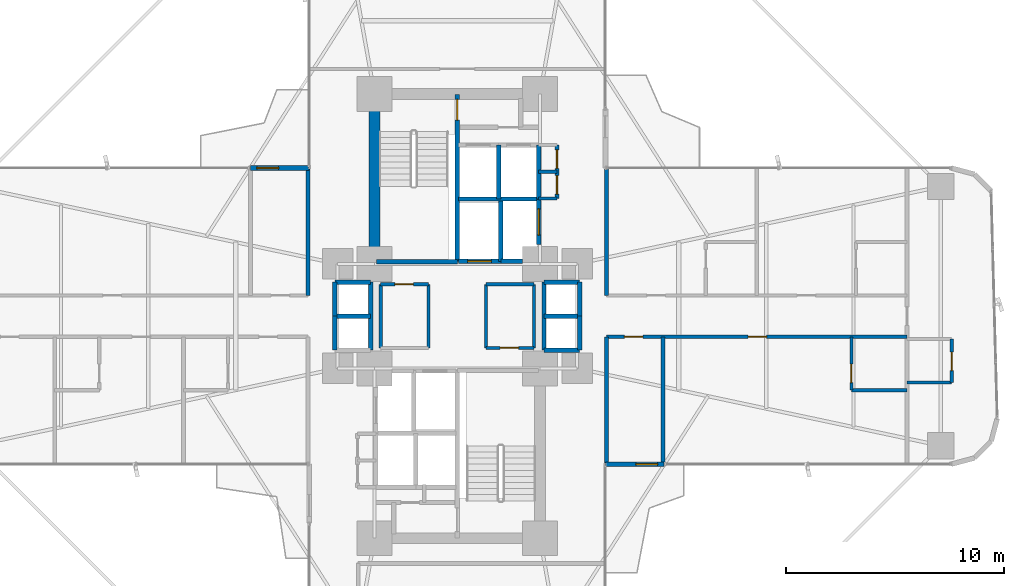
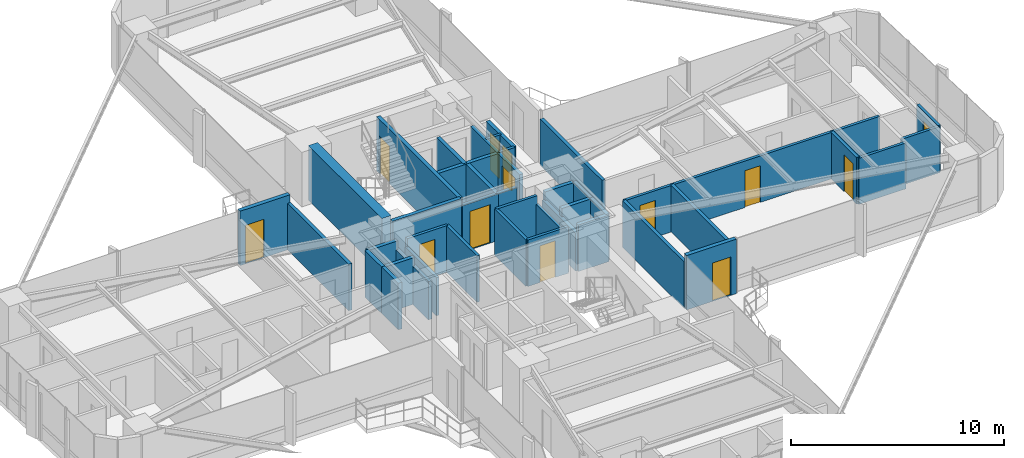
# One storey, part 23 of 25: 42 walls, 13 doors, 13 openings.
"""IFC4 building model written with IfcOpenShell, lengths in metres."""

from ifc_helpers import new_model, si_unit, direction, frame, frame_2d, origin, origin_2d, place, context, subcontext, project, spatial, rectangle, extrude, source, transform, mapped, material, layer, layer_set, type_object, element, fill, save


model = new_model("IFC4")

# Units and contexts
model_context = context("Model", 3, precision=1e-05, world=origin(), true_north=direction((0.0, 1.0)))
body_context = subcontext(model_context, "Body", "Model", "MODEL_VIEW")
ifc_project = project(units=[si_unit("LENGTHUNIT", "METRE"), si_unit("AREAUNIT", "SQUARE_METRE"), si_unit("VOLUMEUNIT", "CUBIC_METRE"), si_unit("PLANEANGLEUNIT", "RADIAN"), si_unit("MASSUNIT", "GRAM", prefix="KILO")], contexts=[model_context])

# Site, building, storey
site_placement = place(None, origin())
site = spatial("IfcSite", under=ifc_project, at=site_placement, CompositionType="ELEMENT")
building_placement = place(site_placement, origin())
building = spatial("IfcBuilding", under=site, at=building_placement, Name="Sahyath Konkavel Grand Hotel", CompositionType="ELEMENT")
storey_placement = place(building_placement, frame((0.0, 0.0, 33.14990234375)))
storey = spatial("IfcBuildingStorey", under=building, at=storey_placement, Name="L08", CompositionType="ELEMENT", Elevation=33.14990234375)

# Wall
ifc_material_1 = material(Name="Concrete C70/85", Category="concrete")
ifc_layer_1 = layer(ifc_material_1, 0.5)
ifc_layer_set_1 = layer_set([ifc_layer_1], Name="Concrete C70/85")
wall_type_1 = type_object("IfcWallType", Name="CWALL-500", PredefinedType="SHEAR", material=ifc_layer_set_1)
wall_1_placement = place(storey_placement, frame((-3.800048828125, 2.85009765625, 0.0), z_axis=(0.0, 0.0, 1.0), x_axis=(0.0, 1.0, 0.0)))
element("IfcWall", 1, at=wall_1_placement, inside=storey, type_object=wall_type_1, Name="L08 North Core Shear Wall W", PredefinedType="SHEAR", context=body_context, shape_type="SweptSolid", body=[
    extrude(rectangle(XDim=6.89990234375, YDim=0.5, at=frame_2d((3.449951171875, 0.0))), origin(), (0.0, 0.0, 1.0), 3.110107421875),
])

# Wall, opening, door
ifc_material_2 = material(Name="Warm Buff Sandstone Insulated Concrete C40/50", Category="masonry")
ifc_layer_2 = layer(ifc_material_2, 0.219970703125)
ifc_layer_set_2 = layer_set([ifc_layer_2], Name="Warm Buff Sandstone Insulated Concrete C40/50")
wall_type_2 = type_object("IfcWallType", Name="WLL-BALC-THRESH", PredefinedType="STANDARD", material=ifc_layer_set_2)
wall_2_placement = place(storey_placement, frame((6.800048828125, -6.800048828125, 0.0), z_axis=(0.0, 0.0, 1.0), x_axis=(1.0, 0.0, 0.0)))
wall_2 = element("IfcWall", 2, at=wall_2_placement, inside=storey, type_object=wall_type_2, Name="L08 Winter-Garden Threshold Wall 0", PredefinedType="STANDARD", context=body_context, shape_type="SweptSolid", body=[
    extrude(rectangle(XDim=2.699951171875, YDim=0.219970703125, at=frame_2d((1.35009765625, 0.0))), origin(), (0.0, 0.0, 1.0), 3.110107421875),
])
opening_1_placement = place(wall_2_placement, frame((1.39990234375, 0.0, 0.0)))
opening_1 = element("IfcOpeningElement", 3, at=opening_1_placement, cuts=wall_2, Name="Opening D-TR1", PredefinedType="OPENING", context=body_context, shape_type="SweptSolid", body=[
    extrude(rectangle(XDim=1.0, YDim=2.199951171875, at=frame_2d((0.5, 1.10009765625))), frame((0.0, 0.1201171875, 0.0), z_axis=(0.0, -1.0, 0.0), x_axis=(1.0, 0.0, 0.0)), (0.0, 0.0, 1.0), 0.239990234375),
])
ifc_material_3 = material(Name="Anodised Bronze Aluminium & Low-E Glazing", Category="aluminium")
door_type_1 = type_object("IfcDoorType", Name="DR-TERRACE-1000", OperationType="NOTDEFINED", PredefinedType="DOOR", material=ifc_material_3)
shared_shape_1 = source(origin(), body_context, "Body", "SweptSolid", [
    extrude(rectangle(XDim=1.0, YDim=0.050048828125, at=origin_2d()), origin(), (0.0, 0.0, 1.0), 2.199951171875),
])
door_1_placement = place(opening_1_placement, frame((0.5, 0.0, 0.0)))
door_1 = element("IfcDoor", 4, at=door_1_placement, inside=storey, type_object=door_type_1, Name="L08 Winter-Garden Terrace Door 0", OperationType="SINGLE_SWING_LEFT", OverallHeight=2.199951171875, OverallWidth=1.0, PredefinedType="DOOR", context=body_context, shape_type="MappedRepresentation", body=[
    mapped(shared_shape_1, transform((0.0, 0.0, 0.0), scale=1.0)),
])
fill(opening_1, door_1)

wall_3_placement = place(storey_placement, frame((-6.800048828125, 6.800048828125, 0.0), z_axis=(0.0, 0.0, 1.0), x_axis=(-1.0, 0.0, 0.0)))
wall_3 = element("IfcWall", 5, at=wall_3_placement, inside=storey, type_object=wall_type_2, Name="L08 Winter-Garden Threshold Wall 16", PredefinedType="STANDARD", context=body_context, shape_type="SweptSolid", body=[
    extrude(rectangle(XDim=2.699951171875, YDim=0.219970703125, at=frame_2d((1.35009765625, 0.0))), origin(), (0.0, 0.0, 1.0), 3.110107421875),
])
opening_2_placement = place(wall_3_placement, frame((1.39990234375, 0.0, 0.0)))
opening_2 = element("IfcOpeningElement", 6, at=opening_2_placement, cuts=wall_3, Name="Opening D-TR1", PredefinedType="OPENING", context=body_context, shape_type="SweptSolid", body=[
    extrude(rectangle(XDim=1.0, YDim=2.199951171875, at=frame_2d((0.5, 1.10009765625))), frame((0.0, 0.1201171875, 0.0), z_axis=(0.0, -1.0, 0.0), x_axis=(1.0, 0.0, 0.0)), (0.0, 0.0, 1.0), 0.239990234375),
])
door_2_placement = place(opening_2_placement, frame((0.5, 0.0, 0.0)))
door_2 = element("IfcDoor", 7, at=door_2_placement, inside=storey, type_object=door_type_1, Name="L08 Winter-Garden Terrace Door 16", OperationType="SINGLE_SWING_LEFT", OverallHeight=2.199951171875, OverallWidth=1.0, PredefinedType="DOOR", context=body_context, shape_type="MappedRepresentation", body=[
    mapped(shared_shape_1, transform((0.0, 0.0, 0.0), scale=1.0)),
])
fill(opening_2, door_2)

ifc_material_4 = material(Name="Concrete C40/50", Category="concrete")
ifc_layer_3 = layer(ifc_material_4, 0.199951171875)
ifc_layer_set_3 = layer_set([ifc_layer_3], Name="Concrete C40/50")
wall_type_3 = type_object("IfcWallType", Name="WLL-CORE-200", PredefinedType="SOLIDWALL", material=ifc_layer_set_3)
wall_4_placement = place(storey_placement, frame((0.0, 2.5, 0.0), z_axis=(0.0, 0.0, 1.0), x_axis=(0.0, 1.0, 0.0)))
wall_4 = element("IfcWall", 8, at=wall_4_placement, inside=storey, type_object=wall_type_3, Name="L08 Stair ST-1 Shaft Wall E", PredefinedType="SOLIDWALL", context=body_context, shape_type="SweptSolid", body=[
    extrude(rectangle(XDim=7.679931640625, YDim=0.199951171875, at=frame_2d((3.83984375, 0.0))), origin(), (0.0, 0.0, 1.0), 3.110107421875),
])
opening_3_placement = place(wall_4_placement, frame((6.5, 0.0, 0.0)))
opening_3 = element("IfcOpeningElement", 9, at=opening_3_placement, cuts=wall_4, Name="Opening D-F12C", PredefinedType="OPENING", context=body_context, shape_type="SweptSolid", body=[
    extrude(rectangle(XDim=0.949951171875, YDim=2.14990234375, at=frame_2d((0.47509765625, 1.074951171875))), frame((0.0, 0.10986328125, 0.0), z_axis=(0.0, -1.0, 0.0), x_axis=(1.0, 0.0, 0.0)), (0.0, 0.0, 1.0), 0.219970703125),
])
ifc_material_5 = material(Name="Steel E350 Plant Fire Door", Category="steel")
door_type_2 = type_object("IfcDoorType", Name="DR-FD120-950", OperationType="NOTDEFINED", PredefinedType="DOOR", material=ifc_material_5)
shared_shape_2 = source(origin(), body_context, "Body", "SweptSolid", [
    extrude(rectangle(XDim=0.949951171875, YDim=0.050048828125, at=origin_2d()), origin(), (0.0, 0.0, 1.0), 2.14990234375),
])
door_3_placement = place(opening_3_placement, frame((0.47509765625, 0.0, 0.0)))
door_3 = element("IfcDoor", 10, at=door_3_placement, inside=storey, type_object=door_type_2, Name="L08 Stair ST-1 Fire Door", OperationType="SINGLE_SWING_RIGHT", OverallHeight=2.14990234375, OverallWidth=0.949951171875, PredefinedType="DOOR", context=body_context, shape_type="MappedRepresentation", body=[
    mapped(shared_shape_2, transform((0.0, 0.0, 0.0), scale=1.0)),
])
fill(opening_3, door_3)

# Walls
wall_5_placement = place(storey_placement, frame((-3.719970703125, 2.5, 0.0), z_axis=(0.0, 0.0, 1.0), x_axis=(1.0, 0.0, 0.0)))
element("IfcWall", 11, at=wall_5_placement, inside=storey, type_object=wall_type_3, Name="L08 Stair ST-1 Shaft Wall S", PredefinedType="SOLIDWALL", context=body_context, shape_type="SweptSolid", body=[
    extrude(rectangle(XDim=3.719970703125, YDim=0.199951171875, at=frame_2d((1.85986328125, 0.0))), origin(), (0.0, 0.0, 1.0), 3.110107421875),
])
wall_6_placement = place(storey_placement, frame((2.0, 2.5, 0.0), z_axis=(0.0, 0.0, 1.0), x_axis=(0.0, 1.0, 0.0)))
element("IfcWall", 12, at=wall_6_placement, inside=storey, type_object=wall_type_3, Name="L08 Partition SH-FFL1-E", PredefinedType="SOLIDWALL", context=body_context, shape_type="SweptSolid", body=[
    extrude(rectangle(XDim=2.780029296875, YDim=0.199951171875, at=frame_2d((1.39013671875, 0.0))), origin(), (0.0, 0.0, 1.0), 2.66015625),
])

# Wall, opening, door
wall_7_placement = place(storey_placement, frame((0.050048828125, 2.52001953125, 0.0), z_axis=(0.0, 0.0, 1.0), x_axis=(1.0, 0.0, 0.0)))
wall_7 = element("IfcWall", 13, at=wall_7_placement, inside=storey, type_object=wall_type_3, Name="L08 Partition SH-FFL1-S", PredefinedType="SOLIDWALL", context=body_context, shape_type="SweptSolid", body=[
    extrude(rectangle(XDim=1.949951171875, YDim=0.199951171875, at=frame_2d((0.97509765625, 0.0))), origin(), (0.0, 0.0, 1.0), 2.66015625),
])
opening_4_placement = place(wall_7_placement, frame((0.419921875, 0.0, 0.0)))
opening_4 = element("IfcOpeningElement", 14, at=opening_4_placement, cuts=wall_7, Name="Opening LD-11", PredefinedType="OPENING", context=body_context, shape_type="SweptSolid", body=[
    extrude(rectangle(XDim=1.10009765625, YDim=2.199951171875, at=frame_2d((0.550048828125, 1.10009765625))), frame((0.0, 0.10986328125, 0.0), z_axis=(0.0, -1.0, 0.0), x_axis=(1.0, 0.0, 0.0)), (0.0, 0.0, 1.0), 0.219970703125),
])
ifc_material_6 = material(Name="Bronze Lift Landing Door 1100")
door_type_3 = type_object("IfcDoorType", Name="DR-LIFT-1100", OperationType="DOUBLE_DOOR_SLIDING", PredefinedType="DOOR", material=ifc_material_6)
shared_shape_3 = source(origin(), body_context, "Body", "SweptSolid", [
    extrude(rectangle(XDim=1.10009765625, YDim=0.050048828125, at=origin_2d()), origin(), (0.0, 0.0, 1.0), 2.199951171875),
])
door_4_placement = place(opening_4_placement, frame((0.550048828125, 0.0, 0.0)))
door_4 = element("IfcDoor", 15, at=door_4_placement, inside=storey, type_object=door_type_3, Name="L08 Lift FFL-1 Landing Door", OperationType="DOUBLE_DOOR_SLIDING", OverallHeight=2.199951171875, OverallWidth=1.10009765625, PredefinedType="DOOR", context=body_context, shape_type="MappedRepresentation", body=[
    mapped(shared_shape_3, transform((0.0, 0.0, 0.0), scale=1.0)),
])
fill(opening_4, door_4)

# Wall
wall_8_placement = place(storey_placement, frame((2.0, 2.52001953125, 0.0), z_axis=(0.0, 0.0, 1.0), x_axis=(1.0, 0.0, 0.0)))
element("IfcWall", 16, at=wall_8_placement, inside=storey, type_object=wall_type_3, Name="L08 Partition SH-SVL1-S", PredefinedType="SOLIDWALL", context=body_context, shape_type="SweptSolid", body=[
    extrude(rectangle(XDim=1.0, YDim=0.199951171875, at=frame_2d((0.5, 0.0))), origin(), (0.0, 0.0, 1.0), 2.66015625),
])

# Wall, opening, door
wall_9_placement = place(storey_placement, frame((3.739990234375, 3.280029296875, 0.0), z_axis=(0.0, 0.0, 1.0), x_axis=(0.0, 1.0, 0.0)))
wall_9 = element("IfcWall", 17, at=wall_9_placement, inside=storey, type_object=wall_type_3, Name="L08 Partition SH-SVL1-E", PredefinedType="SOLIDWALL", context=body_context, shape_type="SweptSolid", body=[
    extrude(rectangle(XDim=2.080078125, YDim=0.199951171875, at=frame_2d((1.0400390625, 0.0))), origin(), (0.0, 0.0, 1.0), 2.66015625),
])
opening_5_placement = place(wall_9_placement, frame((0.43994140625, 0.0, 0.0)))
opening_5 = element("IfcOpeningElement", 18, at=opening_5_placement, cuts=wall_9, Name="Opening LD-12", PredefinedType="OPENING", context=body_context, shape_type="SweptSolid", body=[
    extrude(rectangle(XDim=1.199951171875, YDim=2.199951171875, at=frame_2d((0.60009765625, 1.10009765625))), frame((0.0, 0.10986328125, 0.0), z_axis=(0.0, -1.0, 0.0), x_axis=(1.0, 0.0, 0.0)), (0.0, 0.0, 1.0), 0.219970703125),
])
ifc_material_7 = material(Name="Stainless Steel Lift Landing Door 1200", Category="steel")
door_type_4 = type_object("IfcDoorType", Name="DR-LIFT-1200", OperationType="DOUBLE_DOOR_SLIDING", PredefinedType="DOOR", material=ifc_material_7)
shared_shape_4 = source(origin(), body_context, "Body", "SweptSolid", [
    extrude(rectangle(XDim=1.199951171875, YDim=0.050048828125, at=origin_2d()), origin(), (0.0, 0.0, 1.0), 2.199951171875),
])
door_5_placement = place(opening_5_placement, frame((0.60009765625, 0.0, 0.0)))
door_5 = element("IfcDoor", 19, at=door_5_placement, inside=storey, type_object=door_type_4, Name="L08 Service Lift SVL-1 Landing Door", OperationType="DOUBLE_DOOR_SLIDING", OverallHeight=2.199951171875, OverallWidth=1.199951171875, PredefinedType="DOOR", context=body_context, shape_type="MappedRepresentation", body=[
    mapped(shared_shape_4, transform((0.0, 0.0, 0.0), scale=1.0)),
])
fill(opening_5, door_5)

# Walls
wall_10_placement = place(storey_placement, frame((0.050048828125, 5.3798828125, 0.0), z_axis=(0.0, 0.0, 1.0), x_axis=(1.0, 0.0, 0.0)))
element("IfcWall", 20, at=wall_10_placement, inside=storey, type_object=wall_type_3, Name="L08 Partition SH-PL12-S", PredefinedType="SOLIDWALL", context=body_context, shape_type="SweptSolid", body=[
    extrude(rectangle(XDim=3.68994140625, YDim=0.199951171875, at=frame_2d((1.844970703125, 0.0))), origin(), (0.0, 0.0, 1.0), 2.66015625),
])
for number, where, z_axis, x_axis, name in (
    (21, (1.89990234375, 5.3798828125, 0.0), (0.0, 0.0, 1.0), (0.0, 1.0, 0.0), "L08 Partition SH-PL12-M"),
    (22, (3.739990234375, 5.3798828125, 0.0), (0.0, 0.0, 1.0), (0.0, 1.0, 0.0), "L08 Partition SH-PL2-E"),
):
    element("IfcWall", number, at=place(storey_placement, frame(where, z_axis=z_axis, x_axis=x_axis)), inside=storey, type_object=wall_type_3, Name=name, PredefinedType="SOLIDWALL", context=body_context, shape_type="SweptSolid", body=[
        extrude(rectangle(XDim=2.480224609375, YDim=0.199951171875, at=frame_2d((1.240234375, 0.0))), origin(), (0.0, 0.0, 1.0), 2.66015625),
    ])
wall_11_placement = place(storey_placement, frame((3.97998046875, -1.56005859375, 0.0), z_axis=(0.0, 0.0, 1.0), x_axis=(0.0, 1.0, 0.0)))
element("IfcWall", 23, at=wall_11_placement, inside=storey, type_object=wall_type_3, Name="L08 Partition SH-PL56-W", PredefinedType="SOLIDWALL", context=body_context, shape_type="SweptSolid", body=[
    extrude(rectangle(XDim=3.1201171875, YDim=0.199951171875, at=frame_2d((1.56005859375, 0.0))), origin(), (0.0, 0.0, 1.0), 2.18017578125),
])
for number, where, z_axis, x_axis, name in (
    (24, (3.97998046875, 1.56005859375, 0.0), (0.0, 0.0, 1.0), (1.0, 0.0, 0.0), "L08 Partition SH-PL56-N"),
    (25, (3.97998046875, -1.56005859375, 0.0), (0.0, 0.0, 1.0), (1.0, 0.0, 0.0), "L08 Partition SH-PL56-S"),
    (26, (3.97998046875, 0.0, 0.0), (0.0, 0.0, 1.0), (1.0, 0.0, 0.0), "L08 Partition SH-PL56-M"),
):
    element("IfcWall", number, at=place(storey_placement, frame(where, z_axis=z_axis, x_axis=x_axis)), inside=storey, type_object=wall_type_3, Name=name, PredefinedType="SOLIDWALL", context=body_context, shape_type="SweptSolid", body=[
        extrude(rectangle(XDim=1.64013671875, YDim=0.199951171875, at=frame_2d((0.820068359375, 0.0))), origin(), (0.0, 0.0, 1.0), 2.66015625),
    ])
for number, where, z_axis, x_axis, name in (
    (27, (5.6201171875, 0.0, 0.0), (0.0, 0.0, 1.0), (0.0, 1.0, 0.0), "L08 Partition SH-PL5-E"),
    (28, (5.6201171875, -1.56005859375, 0.0), (0.0, 0.0, 1.0), (0.0, 1.0, 0.0), "L08 Partition SH-PL6-E"),
):
    element("IfcWall", number, at=place(storey_placement, frame(where, z_axis=z_axis, x_axis=x_axis)), inside=storey, type_object=wall_type_3, Name=name, PredefinedType="SOLIDWALL", context=body_context, shape_type="SweptSolid", body=[
        extrude(rectangle(XDim=1.56005859375, YDim=0.199951171875, at=frame_2d((0.780029296875, 0.0))), origin(), (0.0, 0.0, 1.0), 2.66015625),
    ])
wall_12_placement = place(storey_placement, frame((-3.97998046875, -1.56005859375, 0.0), z_axis=(0.0, 0.0, 1.0), x_axis=(0.0, 1.0, 0.0)))
element("IfcWall", 29, at=wall_12_placement, inside=storey, type_object=wall_type_3, Name="L08 Partition SH-SL12-E", PredefinedType="SOLIDWALL", context=body_context, shape_type="SweptSolid", body=[
    extrude(rectangle(XDim=3.1201171875, YDim=0.199951171875, at=frame_2d((1.56005859375, 0.0))), origin(), (0.0, 0.0, 1.0), 2.18017578125),
])
for number, where, z_axis, x_axis, name in (
    (30, (-5.6201171875, 1.56005859375, 0.0), (0.0, 0.0, 1.0), (1.0, 0.0, 0.0), "L08 Partition SH-SL12-N"),
    (31, (-5.6201171875, 0.0, 0.0), (0.0, 0.0, 1.0), (1.0, 0.0, 0.0), "L08 Partition SH-SL12-M"),
):
    element("IfcWall", number, at=place(storey_placement, frame(where, z_axis=z_axis, x_axis=x_axis)), inside=storey, type_object=wall_type_3, Name=name, PredefinedType="SOLIDWALL", context=body_context, shape_type="SweptSolid", body=[
        extrude(rectangle(XDim=1.64013671875, YDim=0.199951171875, at=frame_2d((0.820068359375, 0.0))), origin(), (0.0, 0.0, 1.0), 2.66015625),
    ])
for number, where, z_axis, x_axis, name in (
    (32, (-5.6201171875, 0.0, 0.0), (0.0, 0.0, 1.0), (0.0, 1.0, 0.0), "L08 Partition SH-SL1-W"),
    (33, (-5.6201171875, -1.56005859375, 0.0), (0.0, 0.0, 1.0), (0.0, 1.0, 0.0), "L08 Partition SH-SL2-W"),
):
    element("IfcWall", number, at=place(storey_placement, frame(where, z_axis=z_axis, x_axis=x_axis)), inside=storey, type_object=wall_type_3, Name=name, PredefinedType="SOLIDWALL", context=body_context, shape_type="SweptSolid", body=[
        extrude(rectangle(XDim=1.56005859375, YDim=0.199951171875, at=frame_2d((0.780029296875, 0.0))), origin(), (0.0, 0.0, 1.0), 2.66015625),
    ])

# Wall, openings, doors
wall_13_placement = place(storey_placement, frame((4.580078125, 5.39990234375, 0.0), z_axis=(0.0, 0.0, 1.0), x_axis=(0.0, 1.0, 0.0)))
wall_13 = element("IfcWall", 34, at=wall_13_placement, inside=storey, type_object=wall_type_3, Name="L08 Partition NC-FLK-E", PredefinedType="SOLIDWALL", context=body_context, shape_type="SweptSolid", body=[
    extrude(rectangle(XDim=2.460205078125, YDim=0.199951171875, at=frame_2d((1.22998046875, 0.0))), origin(), (0.0, 0.0, 1.0), 2.66015625),
])
opening_6_placement = place(wall_13_placement, frame((0.199951171875, 0.0, 0.0)))
opening_6 = element("IfcOpeningElement", 35, at=opening_6_placement, cuts=wall_13, Name="Opening D-F06D", PredefinedType="OPENING", context=body_context, shape_type="SweptSolid", body=[
    extrude(rectangle(XDim=0.85009765625, YDim=2.10009765625, at=frame_2d((0.425048828125, 1.050048828125))), frame((0.0, 0.10986328125, 0.0), z_axis=(0.0, -1.0, 0.0), x_axis=(1.0, 0.0, 0.0)), (0.0, 0.0, 1.0), 0.219970703125),
])
opening_7_placement = place(wall_13_placement, frame((1.3798828125, 0.0, 0.0)))
opening_7 = element("IfcOpeningElement", 36, at=opening_7_placement, cuts=wall_13, Name="Opening D-F06D", PredefinedType="OPENING", context=body_context, shape_type="SweptSolid", body=[
    extrude(rectangle(XDim=0.85009765625, YDim=2.10009765625, at=frame_2d((0.425048828125, 1.050048828125))), frame((0.0, 0.10986328125, 0.0), z_axis=(0.0, -1.0, 0.0), x_axis=(1.0, 0.0, 0.0)), (0.0, 0.0, 1.0), 0.219970703125),
])
ifc_material_8 = material(Name="Fire-Rated Shaft Access Door")
door_type_5 = type_object("IfcDoorType", Name="DR-FD60-850", OperationType="NOTDEFINED", PredefinedType="DOOR", material=ifc_material_8)
shared_shape_5 = source(origin(), body_context, "Body", "SweptSolid", [
    extrude(rectangle(XDim=0.85009765625, YDim=0.050048828125, at=origin_2d()), origin(), (0.0, 0.0, 1.0), 2.10009765625),
])
door_6_placement = place(opening_6_placement, frame((0.425048828125, 0.0, 0.0)))
door_6 = element("IfcDoor", 37, at=door_6_placement, inside=storey, type_object=door_type_5, Name="L08 Door NC-FLK1-D", OperationType="SINGLE_SWING_LEFT", OverallHeight=2.10009765625, OverallWidth=0.85009765625, PredefinedType="DOOR", context=body_context, shape_type="MappedRepresentation", body=[
    mapped(shared_shape_5, transform((0.0, 0.0, 0.0), scale=1.0)),
])
fill(opening_6, door_6)
door_7_placement = place(opening_7_placement, frame((0.425048828125, 0.0, 0.0)))
door_7 = element("IfcDoor", 38, at=door_7_placement, inside=storey, type_object=door_type_5, Name="L08 Door NC-FLK2-D", OperationType="SINGLE_SWING_RIGHT", OverallHeight=2.10009765625, OverallWidth=0.85009765625, PredefinedType="DOOR", context=body_context, shape_type="MappedRepresentation", body=[
    mapped(shared_shape_5, transform((0.0, 0.0, 0.0), scale=1.0)),
])
fill(opening_7, door_7)

# Walls
ifc_material_9 = material(Name="Twin-Stud Acoustic Gypsum Plasterboard Partition")
ifc_layer_4 = layer(ifc_material_9, 0.179931640625)
ifc_layer_set_4 = layer_set([ifc_layer_4], Name="Twin-Stud Acoustic Gypsum Plasterboard Partition")
wall_type_4 = type_object("IfcWallType", Name="WLL-DEMISE-180", PredefinedType="PARTITIONING", material=ifc_layer_set_4)
for number, where, z_axis, x_axis, name in (
    (39, (6.85009765625, 0.949951171875, 0.0), (0.0, 0.0, 1.0), (0.0, 1.0, 0.0), "L08 Partition E-INL"),
    (40, (6.85009765625, -6.75, 0.0), (0.0, 0.0, 1.0), (0.0, 1.0, 0.0), "L08 Partition E-INR"),
    (41, (9.449951171875, -0.949951171875, 0.0), (0.0, 0.0, 1.0), (0.0, -1.0, 0.0), "L08 Partition E-EHK-DEM"),
    (42, (-6.85009765625, 6.75, 0.0), (0.0, 0.0, 1.0), (0.0, -1.0, 0.0), "L08 Partition W-INR"),
):
    element("IfcWall", number, at=place(storey_placement, frame(where, z_axis=z_axis, x_axis=x_axis)), inside=storey, type_object=wall_type_4, Name=name, PredefinedType="PARTITIONING", context=body_context, shape_type="SweptSolid", body=[
        extrude(rectangle(XDim=5.800048828125, YDim=0.179931640625, at=frame_2d((2.89990234375, 0.0))), origin(), (0.0, 0.0, 1.0), 2.66015625),
    ])
ifc_material_10 = material(Name="Fire-Rated Gypsum Plasterboard Partition")
ifc_layer_5 = layer(ifc_material_10, 0.14990234375)
ifc_layer_set_5 = layer_set([ifc_layer_5], Name="Fire-Rated Gypsum Plasterboard Partition")
wall_type_5 = type_object("IfcWallType", Name="WLL-PART-150", PredefinedType="PARTITIONING", material=ifc_layer_set_5)
for number, where, z_axis, x_axis, name in (
    (43, (3.739990234375, 5.39990234375, 0.0), (0.0, 0.0, 1.0), (1.0, 0.0, 0.0), "L08 Partition NC-FLK-S"),
    (44, (3.739990234375, 6.6298828125, 0.0), (0.0, 0.0, 1.0), (1.0, 0.0, 0.0), "L08 Partition NC-FLK-M"),
):
    element("IfcWall", number, at=place(storey_placement, frame(where, z_axis=z_axis, x_axis=x_axis)), inside=storey, type_object=wall_type_5, Name=name, PredefinedType="PARTITIONING", context=body_context, shape_type="SweptSolid", body=[
        extrude(rectangle(XDim=0.840087890625, YDim=0.14990234375, at=frame_2d((0.419921875, 0.0))), origin(), (0.0, 0.0, 1.0), 2.66015625),
    ])
wall_14_placement = place(storey_placement, frame((-1.320068359375, -1.4599609375, 0.0), z_axis=(0.0, 0.0, 1.0), x_axis=(0.0, 1.0, 0.0)))
element("IfcWall", 45, at=wall_14_placement, inside=storey, type_object=wall_type_5, Name="L08 Partition CC-1WI", PredefinedType="PARTITIONING", context=body_context, shape_type="SweptSolid", body=[
    extrude(rectangle(XDim=2.919921875, YDim=0.14990234375, at=frame_2d((1.4599609375, 0.0))), origin(), (0.0, 0.0, 1.0), 2.66015625),
])
wall_15_placement = place(storey_placement, frame((-3.52001953125, -1.4599609375, 0.0), z_axis=(0.0, 0.0, 1.0), x_axis=(0.0, 1.0, 0.0)))
element("IfcWall", 46, at=wall_15_placement, inside=storey, type_object=wall_type_5, Name="L08 Partition CC-1WO", PredefinedType="PARTITIONING", context=body_context, shape_type="SweptSolid", body=[
    extrude(rectangle(XDim=2.919921875, YDim=0.14990234375, at=frame_2d((1.4599609375, 0.0))), origin(), (0.0, 0.0, 1.0), 2.18017578125),
])

# Wall, opening, door
wall_16_placement = place(storey_placement, frame((-3.52001953125, 1.4599609375, 0.0), z_axis=(0.0, 0.0, 1.0), x_axis=(1.0, 0.0, 0.0)))
wall_16 = element("IfcWall", 47, at=wall_16_placement, inside=storey, type_object=wall_type_5, Name="L08 Partition CC-1WN", PredefinedType="PARTITIONING", context=body_context, shape_type="SweptSolid", body=[
    extrude(rectangle(XDim=2.199951171875, YDim=0.14990234375, at=frame_2d((1.10009765625, 0.0))), origin(), (0.0, 0.0, 1.0), 2.66015625),
])
opening_8_placement = place(wall_16_placement, frame((0.64990234375, 0.0, 0.0)))
opening_8 = element("IfcOpeningElement", 48, at=opening_8_placement, cuts=wall_16, Name="Opening D-F06D", PredefinedType="OPENING", context=body_context, shape_type="SweptSolid", body=[
    extrude(rectangle(XDim=0.85009765625, YDim=2.10009765625, at=frame_2d((0.425048828125, 1.050048828125))), frame((0.0, 0.0849609375, 0.0), z_axis=(0.0, -1.0, 0.0), x_axis=(1.0, 0.0, 0.0)), (0.0, 0.0, 1.0), 0.169921875),
])
door_8_placement = place(opening_8_placement, frame((0.425048828125, 0.0, 0.0)))
door_8 = element("IfcDoor", 49, at=door_8_placement, inside=storey, type_object=door_type_5, Name="L08 Door CC-D1W", OperationType="SINGLE_SWING_LEFT", OverallHeight=2.10009765625, OverallWidth=0.85009765625, PredefinedType="DOOR", context=body_context, shape_type="MappedRepresentation", body=[
    mapped(shared_shape_5, transform((0.0, 0.0, 0.0), scale=1.0)),
])
fill(opening_8, door_8)

# Walls
wall_17_placement = place(storey_placement, frame((1.320068359375, -1.4599609375, 0.0), z_axis=(0.0, 0.0, 1.0), x_axis=(0.0, 1.0, 0.0)))
element("IfcWall", 50, at=wall_17_placement, inside=storey, type_object=wall_type_5, Name="L08 Partition CC-1EI", PredefinedType="PARTITIONING", context=body_context, shape_type="SweptSolid", body=[
    extrude(rectangle(XDim=2.919921875, YDim=0.14990234375, at=frame_2d((1.4599609375, 0.0))), origin(), (0.0, 0.0, 1.0), 2.66015625),
])
wall_18_placement = place(storey_placement, frame((3.52001953125, -1.4599609375, 0.0), z_axis=(0.0, 0.0, 1.0), x_axis=(0.0, 1.0, 0.0)))
element("IfcWall", 51, at=wall_18_placement, inside=storey, type_object=wall_type_5, Name="L08 Partition CC-1EO", PredefinedType="PARTITIONING", context=body_context, shape_type="SweptSolid", body=[
    extrude(rectangle(XDim=2.919921875, YDim=0.14990234375, at=frame_2d((1.4599609375, 0.0))), origin(), (0.0, 0.0, 1.0), 2.18017578125),
])
wall_19_placement = place(storey_placement, frame((1.320068359375, 1.4599609375, 0.0), z_axis=(0.0, 0.0, 1.0), x_axis=(1.0, 0.0, 0.0)))
element("IfcWall", 52, at=wall_19_placement, inside=storey, type_object=wall_type_5, Name="L08 Partition CC-1EN", PredefinedType="PARTITIONING", context=body_context, shape_type="SweptSolid", body=[
    extrude(rectangle(XDim=2.199951171875, YDim=0.14990234375, at=frame_2d((1.10009765625, 0.0))), origin(), (0.0, 0.0, 1.0), 2.66015625),
])

# Wall, opening, door
wall_20_placement = place(storey_placement, frame((1.320068359375, -1.4599609375, 0.0), z_axis=(0.0, 0.0, 1.0), x_axis=(1.0, 0.0, 0.0)))
wall_20 = element("IfcWall", 53, at=wall_20_placement, inside=storey, type_object=wall_type_5, Name="L08 Partition CC-1ES", PredefinedType="PARTITIONING", context=body_context, shape_type="SweptSolid", body=[
    extrude(rectangle(XDim=2.199951171875, YDim=0.14990234375, at=frame_2d((1.10009765625, 0.0))), origin(), (0.0, 0.0, 1.0), 2.66015625),
])
opening_9_placement = place(wall_20_placement, frame((0.64990234375, 0.0, 0.0)))
opening_9 = element("IfcOpeningElement", 54, at=opening_9_placement, cuts=wall_20, Name="Opening D-F06D", PredefinedType="OPENING", context=body_context, shape_type="SweptSolid", body=[
    extrude(rectangle(XDim=0.85009765625, YDim=2.10009765625, at=frame_2d((0.425048828125, 1.050048828125))), frame((0.0, 0.0849609375, 0.0), z_axis=(0.0, -1.0, 0.0), x_axis=(1.0, 0.0, 0.0)), (0.0, 0.0, 1.0), 0.169921875),
])
door_9_placement = place(opening_9_placement, frame((0.425048828125, 0.0, 0.0)))
door_9 = element("IfcDoor", 55, at=door_9_placement, inside=storey, type_object=door_type_5, Name="L08 Door CC-D1E", OperationType="SINGLE_SWING_RIGHT", OverallHeight=2.10009765625, OverallWidth=0.85009765625, PredefinedType="DOOR", context=body_context, shape_type="MappedRepresentation", body=[
    mapped(shared_shape_5, transform((0.0, 0.0, 0.0), scale=1.0)),
])
fill(opening_9, door_9)

# Wall, openings, doors
wall_21_placement = place(storey_placement, frame((6.85009765625, -0.949951171875, 0.0), z_axis=(0.0, 0.0, 1.0), x_axis=(1.0, 0.0, 0.0)))
wall_21 = element("IfcWall", 56, at=wall_21_placement, inside=storey, type_object=wall_type_5, Name="L08 Partition E-CR", PredefinedType="PARTITIONING", context=body_context, shape_type="SweptSolid", body=[
    extrude(rectangle(XDim=13.7998046875, YDim=0.14990234375, at=frame_2d((6.89990234375, 0.0))), origin(), (0.0, 0.0, 1.0), 2.66015625),
])
opening_10_placement = place(wall_21_placement, frame((0.824951171875, 0.0, 0.0)))
opening_10 = element("IfcOpeningElement", 57, at=opening_10_placement, cuts=wall_21, Name="Opening D-F06D", PredefinedType="OPENING", context=body_context, shape_type="SweptSolid", body=[
    extrude(rectangle(XDim=0.85009765625, YDim=2.10009765625, at=frame_2d((0.425048828125, 1.050048828125))), frame((0.0, 0.0849609375, 0.0), z_axis=(0.0, -1.0, 0.0), x_axis=(1.0, 0.0, 0.0)), (0.0, 0.0, 1.0), 0.169921875),
])
opening_11_placement = place(wall_21_placement, frame((6.5, 0.0, 0.0)))
opening_11 = element("IfcOpeningElement", 58, at=opening_11_placement, cuts=wall_21, Name="Opening D-F06D", PredefinedType="OPENING", context=body_context, shape_type="SweptSolid", body=[
    extrude(rectangle(XDim=0.85009765625, YDim=2.10009765625, at=frame_2d((0.425048828125, 1.050048828125))), frame((0.0, 0.0849609375, 0.0), z_axis=(0.0, -1.0, 0.0), x_axis=(1.0, 0.0, 0.0)), (0.0, 0.0, 1.0), 0.169921875),
])
door_10_placement = place(opening_10_placement, frame((0.425048828125, 0.0, 0.0)))
door_10 = element("IfcDoor", 59, at=door_10_placement, inside=storey, type_object=door_type_5, Name="L08 Door E-EHK-D", OperationType="SINGLE_SWING_LEFT", OverallHeight=2.10009765625, OverallWidth=0.85009765625, PredefinedType="DOOR", context=body_context, shape_type="MappedRepresentation", body=[
    mapped(shared_shape_5, transform((0.0, 0.0, 0.0), scale=1.0)),
])
fill(opening_10, door_10)
door_11_placement = place(opening_11_placement, frame((0.425048828125, 0.0, 0.0)))
door_11 = element("IfcDoor", 60, at=door_11_placement, inside=storey, type_object=door_type_5, Name="L08 Door E-E4R2-ED", OperationType="SINGLE_SWING_LEFT", OverallHeight=2.10009765625, OverallWidth=0.85009765625, PredefinedType="DOOR", context=body_context, shape_type="MappedRepresentation", body=[
    mapped(shared_shape_5, transform((0.0, 0.0, 0.0), scale=1.0)),
])
fill(opening_11, door_11)

# Wall, opening, door
wall_22_placement = place(storey_placement, frame((18.10009765625, -0.949951171875, 0.0), z_axis=(0.0, 0.0, 1.0), x_axis=(0.0, -1.0, 0.0)))
wall_22 = element("IfcWall", 61, at=wall_22_placement, inside=storey, type_object=wall_type_5, Name="L08 Partition E-E4R2-BS", PredefinedType="PARTITIONING", context=body_context, shape_type="SweptSolid", body=[
    extrude(rectangle(XDim=2.449951171875, YDim=0.14990234375, at=frame_2d((1.22509765625, 0.0))), origin(), (0.0, 0.0, 1.0), 2.66015625),
])
opening_12_placement = place(wall_22_placement, frame((1.25, 0.0, 0.0)))
opening_12 = element("IfcOpeningElement", 62, at=opening_12_placement, cuts=wall_22, Name="Opening D-BT85", PredefinedType="OPENING", context=body_context, shape_type="SweptSolid", body=[
    extrude(rectangle(XDim=0.85009765625, YDim=2.10009765625, at=frame_2d((0.425048828125, 1.050048828125))), frame((0.0, 0.0849609375, 0.0), z_axis=(0.0, -1.0, 0.0), x_axis=(1.0, 0.0, 0.0)), (0.0, 0.0, 1.0), 0.169921875),
])
ifc_material_11 = material(Name="Moisture-Resistant Teak Bathroom Door")
door_type_6 = type_object("IfcDoorType", Name="DR-BATH-850", OperationType="NOTDEFINED", PredefinedType="DOOR", material=ifc_material_11)
door_12_placement = place(opening_12_placement, frame((0.425048828125, 0.0, 0.0)))
door_12 = element("IfcDoor", 63, at=door_12_placement, inside=storey, type_object=door_type_6, Name="L08 Door E-E4R2-BD", OperationType="SINGLE_SWING_RIGHT", OverallHeight=2.10009765625, OverallWidth=0.85009765625, PredefinedType="DOOR", context=body_context, shape_type="MappedRepresentation", body=[
    mapped(shared_shape_5, transform((0.0, 0.0, 0.0), scale=1.0)),
])
fill(opening_12, door_12)

# Walls
wall_23_placement = place(storey_placement, frame((18.10009765625, -3.39990234375, 0.0), z_axis=(0.0, 0.0, 1.0), x_axis=(1.0, 0.0, 0.0)))
element("IfcWall", 64, at=wall_23_placement, inside=storey, type_object=wall_type_5, Name="L08 Partition E-E4R2-BF", PredefinedType="PARTITIONING", context=body_context, shape_type="SweptSolid", body=[
    extrude(rectangle(XDim=2.5498046875, YDim=0.14990234375, at=frame_2d((1.27490234375, 0.0))), origin(), (0.0, 0.0, 1.0), 2.630126953125),
])
wall_24_placement = place(storey_placement, frame((20.64990234375, -3.050048828125, 0.0), z_axis=(0.0, 0.0, 1.0), x_axis=(1.0, 0.0, 0.0)))
element("IfcWall", 65, at=wall_24_placement, inside=storey, type_object=wall_type_5, Name="L08 Partition E-ETIP-BS", PredefinedType="PARTITIONING", context=body_context, shape_type="SweptSolid", body=[
    extrude(rectangle(XDim=2.050048828125, YDim=0.14990234375, at=frame_2d((1.02490234375, 0.0))), origin(), (0.0, 0.0, 1.0), 2.630126953125),
])

# Wall, opening, door
wall_25_placement = place(storey_placement, frame((22.699951171875, -3.050048828125, 0.0), z_axis=(0.0, 0.0, 1.0), x_axis=(0.0, 1.0, 0.0)))
wall_25 = element("IfcWall", 66, at=wall_25_placement, inside=storey, type_object=wall_type_5, Name="L08 Partition E-ETIP-BE", PredefinedType="PARTITIONING", context=body_context, shape_type="SweptSolid", body=[
    extrude(rectangle(XDim=2.0, YDim=0.14990234375, at=frame_2d((1.0, 0.0))), origin(), (0.0, 0.0, 1.0), 2.66015625),
])
opening_13_placement = place(wall_25_placement, frame((0.550048828125, 0.0, 0.0)))
opening_13 = element("IfcOpeningElement", 67, at=opening_13_placement, cuts=wall_25, Name="Opening D-BT85", PredefinedType="OPENING", context=body_context, shape_type="SweptSolid", body=[
    extrude(rectangle(XDim=0.85009765625, YDim=2.10009765625, at=frame_2d((0.425048828125, 1.050048828125))), frame((0.0, 0.0849609375, 0.0), z_axis=(0.0, -1.0, 0.0), x_axis=(1.0, 0.0, 0.0)), (0.0, 0.0, 1.0), 0.169921875),
])
door_13_placement = place(opening_13_placement, frame((0.425048828125, 0.0, 0.0)))
door_13 = element("IfcDoor", 68, at=door_13_placement, inside=storey, type_object=door_type_6, Name="L08 Door E-ETIP-BD", OperationType="SINGLE_SWING_RIGHT", OverallHeight=2.10009765625, OverallWidth=0.85009765625, PredefinedType="DOOR", context=body_context, shape_type="MappedRepresentation", body=[
    mapped(shared_shape_5, transform((0.0, 0.0, 0.0), scale=1.0)),
])
fill(opening_13, door_13)

save(model, "model.ifc")
